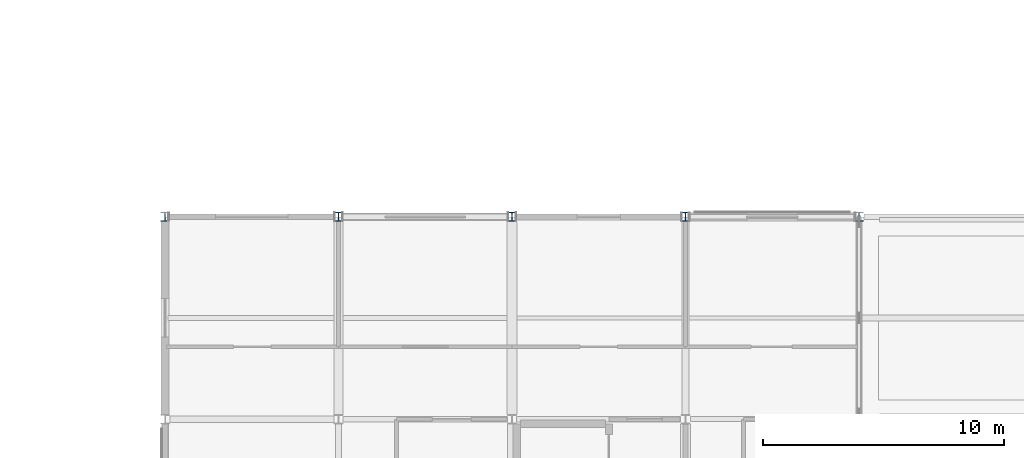
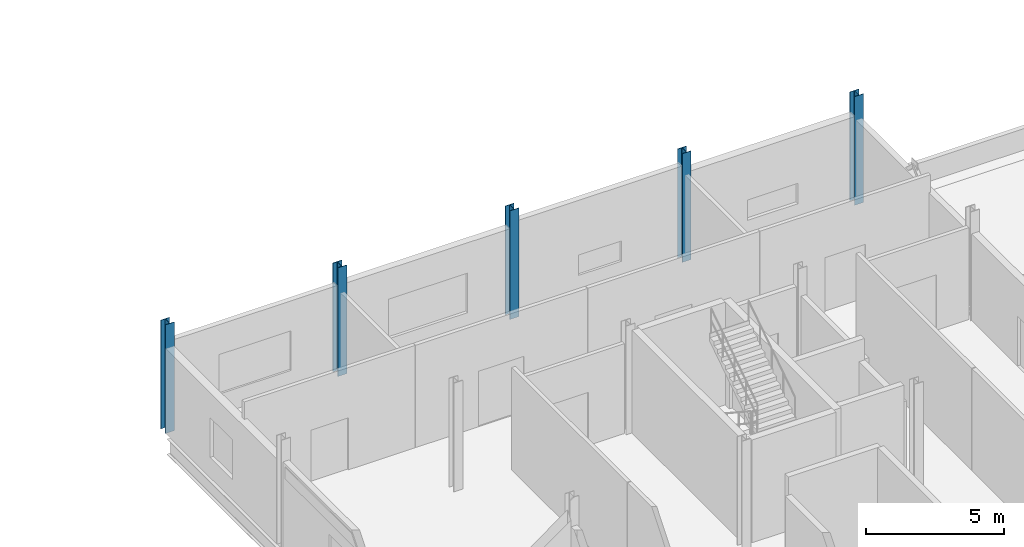
# One storey, part 8 of 72: 5 columns.
"""IFC4 building model written with IfcOpenShell, lengths in metres."""

from ifc_helpers import new_model, si_unit, direction, frame, origin, origin_2d, place, context, subcontext, project, spatial, i_section, extrude, material, material_profile, profile_set, type_object, element, save


model = new_model("IFC4")

# Units and contexts
model_context = context("Model", 3, precision=1e-05, world=origin(), true_north=direction((0.0, 1.0)))
body_context = subcontext(model_context, "Body", "Model", "MODEL_VIEW")
ifc_project = project(units=[si_unit("LENGTHUNIT", "METRE"), si_unit("AREAUNIT", "SQUARE_METRE"), si_unit("VOLUMEUNIT", "CUBIC_METRE"), si_unit("PLANEANGLEUNIT", "RADIAN"), si_unit("MASSUNIT", "GRAM", prefix="KILO")], contexts=[model_context])

# Site, building, storey
site_placement = place(None, origin())
site = spatial("IfcSite", under=ifc_project, at=site_placement, CompositionType="ELEMENT")
building_placement = place(site_placement, origin())
building = spatial("IfcBuilding", under=site, at=building_placement, Name="Calvrana Isthmian Art Gallery", CompositionType="ELEMENT")
storey_placement = place(building_placement, frame((0.0, 0.0, 15.0)))
storey = spatial("IfcBuildingStorey", under=building, at=storey_placement, Name="L03", CompositionType="ELEMENT", Elevation=15.0)

# Columns
ifc_material = material(Name="Steel ASTM A992 Gr 50", Category="steel")
ifc_material_profile_1 = material_profile(ifc_material, i_section(OverallWidth=0.37109375, OverallDepth=0.363037109375, WebThickness=0.01318359375, FlangeThickness=0.021728515625, FilletRadius=0.02490234375, at=origin_2d()), Name="W14X109")
ifc_profile_set_1 = profile_set([ifc_material_profile_1], Name="Steel ASTM A992 Gr 50")
column_type_1 = type_object("IfcColumnType", Name="COL-STL-W14X109", PredefinedType="COLUMN", material=ifc_profile_set_1)
column_1_placement = place(storey_placement, frame((134.39990234375, 46.800048828125, 0.0), z_axis=(0.0, 0.0, 1.0), x_axis=(1.0, 0.0, 0.0)))
element("IfcColumn", 1, at=column_1_placement, inside=storey, type_object=column_type_1, Name="Column 18/G L03", PredefinedType="COLUMN", context=body_context, shape_type="SweptSolid", body=[
    extrude(i_section(OverallWidth=0.37109375, OverallDepth=0.363037109375, WebThickness=0.01318359375, FlangeThickness=0.021728515625, FilletRadius=0.02490234375, at=origin_2d()), origin(), (0.0, 0.0, 1.0), 4.800048828125),
])
ifc_material_profile_2 = material_profile(ifc_material, i_section(OverallWidth=0.373046875, OverallDepth=0.367919921875, WebThickness=0.014892578125, FlangeThickness=0.02392578125, FilletRadius=0.02490234375, at=origin_2d()), Name="W14X120")
ifc_profile_set_2 = profile_set([ifc_material_profile_2], Name="Steel ASTM A992 Gr 50")
column_type_2 = type_object("IfcColumnType", Name="COL-STL-W14X120", PredefinedType="COLUMN", material=ifc_profile_set_2)
column_2_placement = place(storey_placement, frame((127.199951171875, 46.800048828125, 0.0), z_axis=(0.0, 0.0, 1.0), x_axis=(1.0, 0.0, 0.0)))
element("IfcColumn", 2, at=column_2_placement, inside=storey, type_object=column_type_2, Name="Column 17/G L03", PredefinedType="COLUMN", context=body_context, shape_type="SweptSolid", body=[
    extrude(i_section(OverallWidth=0.373046875, OverallDepth=0.367919921875, WebThickness=0.014892578125, FlangeThickness=0.02392578125, FilletRadius=0.02490234375, at=origin_2d()), origin(), (0.0, 0.0, 1.0), 4.800048828125),
])
ifc_material_profile_3 = material_profile(ifc_material, i_section(OverallWidth=0.373046875, OverallDepth=0.373046875, WebThickness=0.016357421875, FlangeThickness=0.026123046875, FilletRadius=0.02490234375, at=origin_2d()), Name="W14X132")
ifc_profile_set_3 = profile_set([ifc_material_profile_3], Name="Steel ASTM A992 Gr 50")
column_type_3 = type_object("IfcColumnType", Name="COL-STL-W14X132", PredefinedType="COLUMN", material=ifc_profile_set_3)
column_3_placement = place(storey_placement, frame((120.0, 46.800048828125, 0.0), z_axis=(0.0, 0.0, 1.0), x_axis=(1.0, 0.0, 0.0)))
element("IfcColumn", 3, at=column_3_placement, inside=storey, type_object=column_type_3, Name="Column 16/G L03", PredefinedType="COLUMN", context=body_context, shape_type="SweptSolid", body=[
    extrude(i_section(OverallWidth=0.373046875, OverallDepth=0.373046875, WebThickness=0.016357421875, FlangeThickness=0.026123046875, FilletRadius=0.02490234375, at=origin_2d()), origin(), (0.0, 0.0, 1.0), 4.800048828125),
])
ifc_material_profile_4 = material_profile(ifc_material, i_section(OverallWidth=0.367919921875, OverallDepth=0.35595703125, WebThickness=0.01123046875, FlangeThickness=0.01806640625, FilletRadius=0.02490234375, at=origin_2d()), Name="W14X90")
ifc_profile_set_4 = profile_set([ifc_material_profile_4], Name="Steel ASTM A992 Gr 50")
column_type_4 = type_object("IfcColumnType", Name="COL-STL-W14X90", PredefinedType="COLUMN", material=ifc_profile_set_4)
for number, where, z_axis, x_axis, name in (
    (4, (112.800048828125, 46.800048828125, 0.0), (0.0, 0.0, 1.0), (1.0, 0.0, 0.0), "Column 15/G L03"),
    (5, (141.60009765625, 46.800048828125, 0.0), (0.0, 0.0, 1.0), (1.0, 0.0, 0.0), "Column 19/G L03"),
):
    element("IfcColumn", number, at=place(storey_placement, frame(where, z_axis=z_axis, x_axis=x_axis)), inside=storey, type_object=column_type_4, Name=name, PredefinedType="COLUMN", context=body_context, shape_type="SweptSolid", body=[
        extrude(i_section(OverallWidth=0.367919921875, OverallDepth=0.35595703125, WebThickness=0.01123046875, FlangeThickness=0.01806640625, FilletRadius=0.02490234375, at=origin_2d()), origin(), (0.0, 0.0, 1.0), 4.800048828125),
    ])

save(model, "model.ifc")
